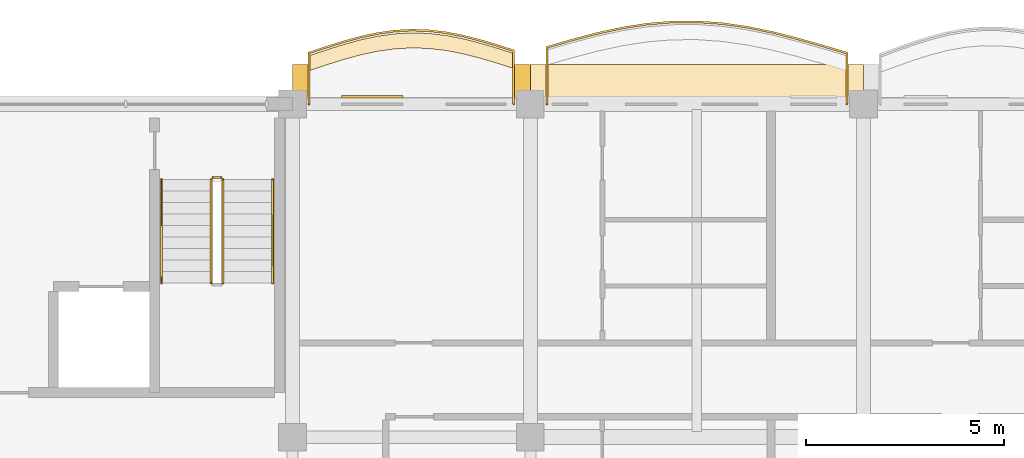
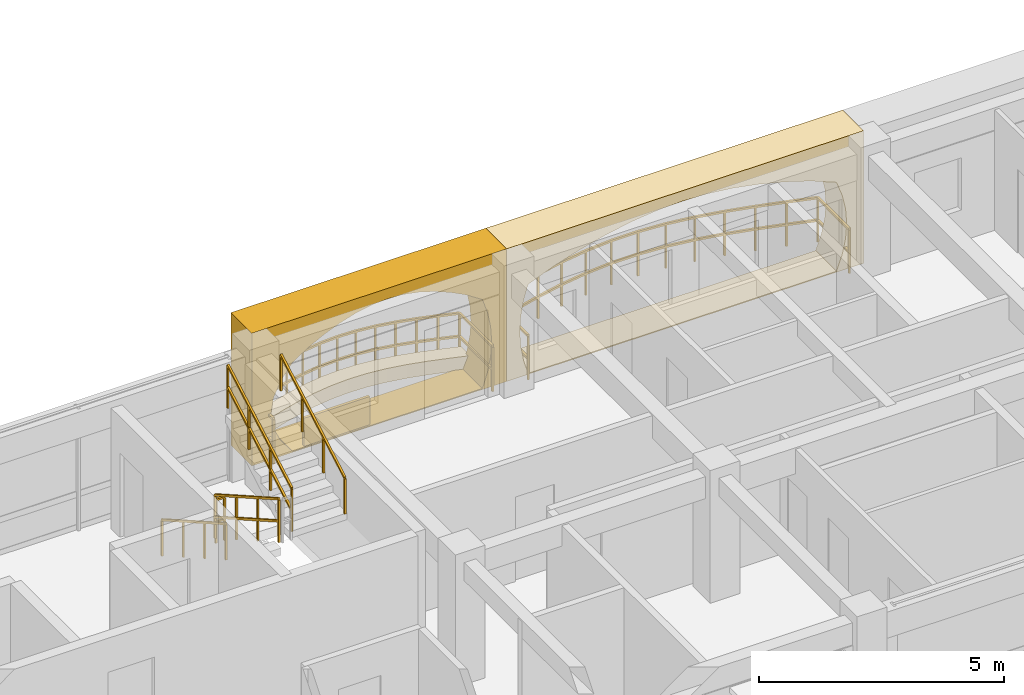
# One storey, part 58 of 76: 7 railings, 4 coverings.
"""IFC4 building model written with IfcOpenShell, lengths in metres."""

from ifc_helpers import new_model, si_unit, direction, frame, origin, origin_2d, place, context, subcontext, project, spatial, polyline, rectangle, outline, extrude, material, layer, layer_set, type_object, element, save


model = new_model("IFC4")

# Units and contexts
model_context = context("Model", 3, precision=1e-05, world=origin(), true_north=direction((0.0, 1.0)))
body_context = subcontext(model_context, "Body", "Model", "MODEL_VIEW")
ifc_project = project(units=[si_unit("LENGTHUNIT", "METRE"), si_unit("AREAUNIT", "SQUARE_METRE"), si_unit("VOLUMEUNIT", "CUBIC_METRE"), si_unit("PLANEANGLEUNIT", "RADIAN"), si_unit("MASSUNIT", "GRAM", prefix="KILO"), si_unit("THERMODYNAMICTEMPERATUREUNIT", "KELVIN")], contexts=[model_context])

# Site, building, storey
site_placement = place(None, origin())
site = spatial("IfcSite", under=ifc_project, at=site_placement, CompositionType="ELEMENT")
building_placement = place(site_placement, origin())
building = spatial("IfcBuilding", under=site, at=building_placement, Name="Thalorik Housing Commons", CompositionType="ELEMENT")
storey_placement = place(building_placement, frame((0.0, 0.0, 18.0)))
storey = spatial("IfcBuildingStorey", under=building, at=storey_placement, Name="L05", CompositionType="ELEMENT", Elevation=18.0)

# Coverings
ifc_material_1 = material(Name="Precast concrete C40/50", Category="concrete")
ifc_layer_1 = layer(ifc_material_1, 0.85009765625, Name="Precast concrete C40/50", Category="concrete")
ifc_layer_set_1 = layer_set([ifc_layer_1], Name="Precast concrete C40/50")
covering_type_1 = type_object("IfcCoveringType", Name="ARC-CLD-CUSH-850", PredefinedType="CLADDING", material=ifc_layer_set_1)
covering_1_placement = place(storey_placement, frame((33.0, 124.177490234375, 0.0), z_axis=(0.0, 0.0, 1.0), x_axis=(-1.0, 0.0, 0.0)))
element("IfcCovering", 1, at=covering_1_placement, inside=storey, type_object=covering_type_1, Name="L05 White Precast Curved Cushion Bay Frame 557", PredefinedType="CLADDING", context=body_context, shape_type="SweptSolid", body=[
    extrude(outline(polyline([(-4.199951171875, 0.0), (4.199951171875, 0.0), (4.199951171875, 3.300048828125), (-4.199951171875, 3.300048828125), (-4.199951171875, 0.0)]), holes=[polyline([(3.697265625, 0.02490234375), (3.80322265625, 0.394287109375), (3.866943359375, 0.76318359375), (3.88818359375, 1.132568359375), (3.866943359375, 1.501708984375), (3.80322265625, 1.870849609375), (3.697265625, 2.239990234375), (3.092041015625, 2.4833984375), (2.48681640625, 2.6748046875), (1.881591796875, 2.82958984375), (1.276611328125, 2.94482421875), (0.67138671875, 3.01611328125), (0.066162109375, 3.0400390625), (-0.5390625, 3.01611328125), (-1.144287109375, 2.94482421875), (-1.74951171875, 2.82958984375), (-2.3544921875, 2.6748046875), (-2.959716796875, 2.4833984375), (-3.56494140625, 2.239990234375), (-3.69921875, 1.870849609375), (-3.779541015625, 1.501708984375), (-3.806396484375, 1.132568359375), (-3.779541015625, 0.76318359375), (-3.69921875, 0.394287109375), (-3.56494140625, 0.02490234375), (3.697265625, 0.02490234375)])]), frame((0.0, 0.425048828125, 0.0), z_axis=(0.0, -1.0, 0.0), x_axis=(1.0, 0.0, 0.0)), (0.0, 0.0, 1.0), 0.85009765625),
])
covering_2_placement = place(storey_placement, frame((25.800048828125, 124.177490234375, 0.0), z_axis=(0.0, 0.0, 1.0), x_axis=(-1.0, 0.0, 0.0)))
element("IfcCovering", 2, at=covering_2_placement, inside=storey, type_object=covering_type_1, Name="L05 White Precast Curved Cushion Bay Frame 559", PredefinedType="CLADDING", context=body_context, shape_type="SweptSolid", body=[
    extrude(outline(polyline([(-3.0, 0.0), (3.0, 0.0), (3.0, 3.300048828125), (-3.0, 3.300048828125), (-3.0, 0.0)]), holes=[polyline([(2.0400390625, 0.02490234375), (2.3232421875, 0.394287109375), (2.493408203125, 0.76318359375), (2.550048828125, 1.132568359375), (2.493408203125, 1.501708984375), (2.3232421875, 1.870849609375), (2.0400390625, 2.239990234375), (1.66748046875, 2.4833984375), (1.294921875, 2.6748046875), (0.922607421875, 2.82958984375), (0.550048828125, 2.94482421875), (0.177490234375, 3.01611328125), (-0.195068359375, 3.0400390625), (-0.5673828125, 3.01611328125), (-0.93994140625, 2.94482421875), (-1.3125, 2.82958984375), (-1.68505859375, 2.6748046875), (-2.0576171875, 2.4833984375), (-2.429931640625, 2.239990234375), (-2.55029296875, 1.870849609375), (-2.62255859375, 1.501708984375), (-2.646484375, 1.132568359375), (-2.62255859375, 0.76318359375), (-2.55029296875, 0.394287109375), (-2.429931640625, 0.02490234375), (2.0400390625, 0.02490234375)])]), frame((0.0, 0.425048828125, 0.0), z_axis=(0.0, -1.0, 0.0), x_axis=(1.0, 0.0, 0.0)), (0.0, 0.0, 1.0), 0.85009765625),
])
ifc_material_2 = material(Name="Mineral ochre architectural terracotta panel", Category="masonry")
ifc_layer_2 = layer(ifc_material_2, 0.06494140625, Name="Mineral ochre architectural terracotta panel", Category="masonry")
ifc_layer_set_2 = layer_set([ifc_layer_2], Name="Mineral ochre architectural terracotta panel")
covering_type_2 = type_object("IfcCoveringType", Name="ARC-CLD-YEL-65", PredefinedType="CLADDING", material=ifc_layer_set_2)
covering_3_placement = place(storey_placement, frame((24.81005859375, 123.7900390625, 0.0498046875), z_axis=(0.0, 0.0, 1.0), x_axis=(-1.0, 0.0, 0.0)))
element("IfcCovering", 3, at=covering_3_placement, inside=storey, type_object=covering_type_2, Name="L05 De Stijl Recessed Window Spandrel 560", PredefinedType="CLADDING", context=body_context, shape_type="SweptSolid", body=[
    extrude(rectangle(XDim=1.550048828125, YDim=0.06494140625, at=origin_2d()), origin(), (0.0, 0.0, 1.0), 0.699951171875),
])
ifc_material_3 = material(Name="Planted vegetated substrate and terracotta trough", Category="masonry")
ifc_layer_3 = layer(ifc_material_3, 0.340087890625, Name="Planted vegetated substrate and terracotta trough", Category="masonry")
ifc_layer_set_3 = layer_set([ifc_layer_3], Name="Planted vegetated substrate and terracotta trough")
covering_type_3 = type_object("IfcCoveringType", Name="ARC-COV-PLANTER", PredefinedType="USERDEFINED", material=ifc_layer_set_3)
covering_4_placement = place(storey_placement, origin())
element("IfcCovering", 4, at=covering_4_placement, inside=storey, type_object=covering_type_3, Name="L05 Balcony Slab-Edge Planted Trough 5347", ObjectType="PLANTER", PredefinedType="USERDEFINED", context=body_context, shape_type="SweptSolid", body=[
    extrude(outline(polyline([(28.3798828125, 124.877197265625), (27.949951171875, 125.014404296875), (27.52001953125, 125.141845703125), (27.090087890625, 125.2509765625), (26.659912109375, 125.333251953125), (26.22998046875, 125.383056640625), (25.800048828125, 125.39599609375), (25.3701171875, 125.37158203125), (24.93994140625, 125.310791015625), (24.510009765625, 125.218017578125), (24.080078125, 125.099853515625), (23.64990234375, 124.964599609375), (23.219970703125, 124.82177734375), (23.219970703125, 124.441650390625), (23.64990234375, 124.584716796875), (24.080078125, 124.719970703125), (24.510009765625, 124.838134765625), (24.93994140625, 124.930908203125), (25.3701171875, 124.991455078125), (25.800048828125, 125.01611328125), (26.22998046875, 125.0029296875), (26.659912109375, 124.953369140625), (27.090087890625, 124.87109375), (27.52001953125, 124.761962890625), (27.949951171875, 124.63427734375), (28.3798828125, 124.497314453125), (28.3798828125, 124.877197265625)])), origin(), (0.0, 0.0, 1.0), 0.340087890625),
])

# Railings
ifc_material_4 = material(Name="Steel S355", Category="steel")
railing_type_1 = type_object("IfcRailingType", Name="ARC-RL-BAL-112", PredefinedType="BALUSTRADE", material=ifc_material_4)
railing_1_placement = place(storey_placement, frame((36.780029296875, 123.60009765625, 0.0)))
element("IfcRailing", 5, at=railing_1_placement, inside=storey, type_object=railing_type_1, Name="L05 Cushion Balcony Guardrail 32", PredefinedType="BALUSTRADE", context=body_context, shape_type="SweptSolid", body=[
    extrude(rectangle(XDim=0.050048828125, YDim=0.050048828125, at=origin_2d()), frame((0.0, 0.0, 1.09521484375), z_axis=(0.0, 1.0, 0.0), x_axis=(-1.0, 0.0, 0.0)), (0.0, 0.0, 1.0), 1.289306640625),
    extrude(rectangle(XDim=0.050048828125, YDim=0.050048828125, at=origin_2d()), frame((0.0, 0.0, 0.53515625), z_axis=(0.0, 1.0, 0.0), x_axis=(-1.0, 0.0, 0.0)), (0.0, 0.0, 1.0), 1.289306640625),
    extrude(rectangle(XDim=0.050048828125, YDim=0.050048828125, at=origin_2d()), frame((0.0, 1.289306640625, 1.09521484375), z_axis=(-0.959377338549, 0.282126075149, 0.0), x_axis=(-0.282126075149, -0.959377338549, 0.0)), (0.0, 0.0, 1.0), 0.65673828125),
    extrude(rectangle(XDim=0.050048828125, YDim=0.050048828125, at=origin_2d()), frame((0.0, 1.289306640625, 0.53515625), z_axis=(-0.959377338549, 0.282126075149, 0.0), x_axis=(-0.282126075149, -0.959377338549, 0.0)), (0.0, 0.0, 1.0), 0.65673828125),
    extrude(rectangle(XDim=0.050048828125, YDim=0.050048828125, at=origin_2d()), frame((-0.630126953125, 1.474609375, 1.09521484375), z_axis=(-0.962028866252, 0.272947724844, 0.0), x_axis=(-0.272947724844, -0.962028866252, 0.0)), (0.0, 0.0, 1.0), 0.65478515625),
    extrude(rectangle(XDim=0.050048828125, YDim=0.050048828125, at=origin_2d()), frame((-0.630126953125, 1.474609375, 0.53515625), z_axis=(-0.962028866252, 0.272947724844, 0.0), x_axis=(-0.272947724844, -0.962028866252, 0.0)), (0.0, 0.0, 1.0), 0.65478515625),
    extrude(rectangle(XDim=0.050048828125, YDim=0.050048828125, at=origin_2d()), frame((-1.260009765625, 1.6533203125, 1.09521484375), z_axis=(-0.969542950291, 0.244921349705, 0.0), x_axis=(-0.244921349705, -0.969542950291, 0.0)), (0.0, 0.0, 1.0), 0.64990234375),
    extrude(rectangle(XDim=0.050048828125, YDim=0.050048828125, at=origin_2d()), frame((-1.260009765625, 1.6533203125, 0.53515625), z_axis=(-0.969542950291, 0.244921349705, 0.0), x_axis=(-0.244921349705, -0.969542950291, 0.0)), (0.0, 0.0, 1.0), 0.64990234375),
    extrude(rectangle(XDim=0.050048828125, YDim=0.050048828125, at=origin_2d()), frame((-1.89013671875, 1.8125, 1.09521484375), z_axis=(-0.979619945128, 0.200860058517, 0.0), x_axis=(-0.200860058517, -0.979619945128, 0.0)), (0.0, 0.0, 1.0), 0.64306640625),
    extrude(rectangle(XDim=0.050048828125, YDim=0.050048828125, at=origin_2d()), frame((-1.89013671875, 1.8125, 0.53515625), z_axis=(-0.979619945128, 0.200860058517, 0.0), x_axis=(-0.200860058517, -0.979619945128, 0.0)), (0.0, 0.0, 1.0), 0.64306640625),
    extrude(rectangle(XDim=0.050048828125, YDim=0.050048828125, at=origin_2d()), frame((-2.52001953125, 1.941650390625, 1.09521484375), z_axis=(-0.990041345096, 0.140776897966, 0.0), x_axis=(-0.140776897966, -0.990041345096, 0.0)), (0.0, 0.0, 1.0), 0.636474609375),
    extrude(rectangle(XDim=0.050048828125, YDim=0.050048828125, at=origin_2d()), frame((-2.52001953125, 1.941650390625, 0.53515625), z_axis=(-0.990041345096, 0.140776897966, 0.0), x_axis=(-0.140776897966, -0.990041345096, 0.0)), (0.0, 0.0, 1.0), 0.636474609375),
    extrude(rectangle(XDim=0.050048828125, YDim=0.050048828125, at=origin_2d()), frame((-3.150146484375, 2.03125, 1.09521484375), z_axis=(-0.997575100836, 0.069598262849, 0.0), x_axis=(-0.069598262849, -0.997575100836, 0.0)), (0.0, 0.0, 1.0), 0.63134765625),
    extrude(rectangle(XDim=0.050048828125, YDim=0.050048828125, at=origin_2d()), frame((-3.150146484375, 2.03125, 0.53515625), z_axis=(-0.997575100836, 0.069598262849, 0.0), x_axis=(-0.069598262849, -0.997575100836, 0.0)), (0.0, 0.0, 1.0), 0.63134765625),
    extrude(rectangle(XDim=0.050048828125, YDim=0.050048828125, at=origin_2d()), frame((-3.780029296875, 2.0751953125, 1.09521484375), z_axis=(-0.999972884343, -0.007364141396, 0.0), x_axis=(0.007364141396, -0.999972884343, 0.0)), (0.0, 0.0, 1.0), 0.6298828125),
    extrude(rectangle(XDim=0.050048828125, YDim=0.050048828125, at=origin_2d()), frame((-3.780029296875, 2.0751953125, 0.53515625), z_axis=(-0.999972884343, -0.007364141396, 0.0), x_axis=(0.007364141396, -0.999972884343, 0.0)), (0.0, 0.0, 1.0), 0.6298828125),
    extrude(rectangle(XDim=0.050048828125, YDim=0.050048828125, at=origin_2d()), frame((-4.409912109375, 2.070556640625, 1.09521484375), z_axis=(-0.996451941002, -0.084163705207, 0.0), x_axis=(0.084163705207, -0.996451941002, 0.0)), (0.0, 0.0, 1.0), 0.63232421875),
    extrude(rectangle(XDim=0.050048828125, YDim=0.050048828125, at=origin_2d()), frame((-4.409912109375, 2.070556640625, 0.53515625), z_axis=(-0.996451941002, -0.084163705207, 0.0), x_axis=(0.084163705207, -0.996451941002, 0.0)), (0.0, 0.0, 1.0), 0.63232421875),
    extrude(rectangle(XDim=0.050048828125, YDim=0.050048828125, at=origin_2d()), frame((-5.0400390625, 2.017333984375, 1.09521484375), z_axis=(-0.988019333947, -0.154330151775, 0.0), x_axis=(0.154330151775, -0.988019333947, 0.0)), (0.0, 0.0, 1.0), 0.637451171875),
    extrude(rectangle(XDim=0.050048828125, YDim=0.050048828125, at=origin_2d()), frame((-5.0400390625, 2.017333984375, 0.53515625), z_axis=(-0.988019333947, -0.154330151775, 0.0), x_axis=(0.154330151775, -0.988019333947, 0.0)), (0.0, 0.0, 1.0), 0.637451171875),
    extrude(rectangle(XDim=0.050048828125, YDim=0.050048828125, at=origin_2d()), frame((-5.669921875, 1.9189453125, 1.09521484375), z_axis=(-0.977261717402, -0.212036637638, 0.0), x_axis=(0.212036637638, -0.977261717402, 0.0)), (0.0, 0.0, 1.0), 0.644775390625),
    extrude(rectangle(XDim=0.050048828125, YDim=0.050048828125, at=origin_2d()), frame((-5.669921875, 1.9189453125, 0.53515625), z_axis=(-0.977261717402, -0.212036637638, 0.0), x_axis=(0.212036637638, -0.977261717402, 0.0)), (0.0, 0.0, 1.0), 0.644775390625),
    extrude(rectangle(XDim=0.050048828125, YDim=0.050048828125, at=origin_2d()), frame((-6.300048828125, 1.7822265625, 1.09521484375), z_axis=(-0.967161884904, -0.254161146498, 0.0), x_axis=(0.254161146498, -0.967161884904, 0.0)), (0.0, 0.0, 1.0), 0.6513671875),
    extrude(rectangle(XDim=0.050048828125, YDim=0.050048828125, at=origin_2d()), frame((-6.300048828125, 1.7822265625, 0.53515625), z_axis=(-0.967161884904, -0.254161146498, 0.0), x_axis=(0.254161146498, -0.967161884904, 0.0)), (0.0, 0.0, 1.0), 0.6513671875),
    extrude(rectangle(XDim=0.050048828125, YDim=0.050048828125, at=origin_2d()), frame((-6.929931640625, 1.61669921875, 1.09521484375), z_axis=(-0.960278714224, -0.279042632959, 0.0), x_axis=(0.279042632959, -0.960278714224, 0.0)), (0.0, 0.0, 1.0), 0.65625),
    extrude(rectangle(XDim=0.050048828125, YDim=0.050048828125, at=origin_2d()), frame((-6.929931640625, 1.61669921875, 0.53515625), z_axis=(-0.960278714224, -0.279042632959, 0.0), x_axis=(0.279042632959, -0.960278714224, 0.0)), (0.0, 0.0, 1.0), 0.65625),
    extrude(rectangle(XDim=0.050048828125, YDim=0.050048828125, at=origin_2d()), frame((-7.56005859375, 1.43359375, 1.09521484375), z_axis=(0.0, -1.0, 0.0), x_axis=(1.0, 0.0, 0.0)), (0.0, 0.0, 1.0), 1.43359375),
    extrude(rectangle(XDim=0.050048828125, YDim=0.050048828125, at=origin_2d()), frame((-7.56005859375, 1.43359375, 0.53515625), z_axis=(0.0, -1.0, 0.0), x_axis=(1.0, 0.0, 0.0)), (0.0, 0.0, 1.0), 1.43359375),
    extrude(rectangle(XDim=0.0419921875, YDim=0.0419921875, at=origin_2d()), origin(), (0.0, 0.0, 1.0), 1.070068359375),
    extrude(rectangle(XDim=0.0419921875, YDim=0.0419921875, at=origin_2d()), frame((0.0, 1.289306640625, 0.0)), (0.0, 0.0, 1.0), 1.070068359375),
    extrude(rectangle(XDim=0.0419921875, YDim=0.0419921875, at=origin_2d()), frame((-0.630126953125, 1.474609375, 0.0)), (0.0, 0.0, 1.0), 1.070068359375),
    extrude(rectangle(XDim=0.0419921875, YDim=0.0419921875, at=origin_2d()), frame((-1.260009765625, 1.6533203125, 0.0)), (0.0, 0.0, 1.0), 1.070068359375),
    extrude(rectangle(XDim=0.0419921875, YDim=0.0419921875, at=origin_2d()), frame((-1.89013671875, 1.8125, 0.0)), (0.0, 0.0, 1.0), 1.070068359375),
    extrude(rectangle(XDim=0.0419921875, YDim=0.0419921875, at=origin_2d()), frame((-2.52001953125, 1.941650390625, 0.0)), (0.0, 0.0, 1.0), 1.070068359375),
    extrude(rectangle(XDim=0.0419921875, YDim=0.0419921875, at=origin_2d()), frame((-3.150146484375, 2.03125, 0.0)), (0.0, 0.0, 1.0), 1.070068359375),
    extrude(rectangle(XDim=0.0419921875, YDim=0.0419921875, at=origin_2d()), frame((-3.780029296875, 2.0751953125, 0.0)), (0.0, 0.0, 1.0), 1.070068359375),
    extrude(rectangle(XDim=0.0419921875, YDim=0.0419921875, at=origin_2d()), frame((-4.409912109375, 2.070556640625, 0.0)), (0.0, 0.0, 1.0), 1.070068359375),
    extrude(rectangle(XDim=0.0419921875, YDim=0.0419921875, at=origin_2d()), frame((-5.0400390625, 2.017333984375, 0.0)), (0.0, 0.0, 1.0), 1.070068359375),
    extrude(rectangle(XDim=0.0419921875, YDim=0.0419921875, at=origin_2d()), frame((-5.669921875, 1.9189453125, 0.0)), (0.0, 0.0, 1.0), 1.070068359375),
    extrude(rectangle(XDim=0.0419921875, YDim=0.0419921875, at=origin_2d()), frame((-6.300048828125, 1.7822265625, 0.0)), (0.0, 0.0, 1.0), 1.070068359375),
    extrude(rectangle(XDim=0.0419921875, YDim=0.0419921875, at=origin_2d()), frame((-6.929931640625, 1.61669921875, 0.0)), (0.0, 0.0, 1.0), 1.070068359375),
    extrude(rectangle(XDim=0.0419921875, YDim=0.0419921875, at=origin_2d()), frame((-7.56005859375, 1.43359375, 0.0)), (0.0, 0.0, 1.0), 1.070068359375),
    extrude(rectangle(XDim=0.0419921875, YDim=0.0419921875, at=origin_2d()), frame((-7.56005859375, 0.0, 0.0)), (0.0, 0.0, 1.0), 1.070068359375),
])
railing_type_2 = type_object("IfcRailingType", Name="ARC-RL-BAL-115", PredefinedType="BALUSTRADE", material=ifc_material_4)
railing_2_placement = place(storey_placement, frame((28.3798828125, 123.60009765625, 0.0)))
element("IfcRailing", 6, at=railing_2_placement, inside=storey, type_object=railing_type_2, Name="L05 Cushion Balcony Guardrail 31", PredefinedType="BALUSTRADE", context=body_context, shape_type="SweptSolid", body=[
    extrude(rectangle(XDim=0.050048828125, YDim=0.050048828125, at=origin_2d()), frame((0.0, 0.0, 1.125), z_axis=(0.0, 1.0, 0.0), x_axis=(-1.0, 0.0, 0.0)), (0.0, 0.0, 1.0), 1.34716796875),
    extrude(rectangle(XDim=0.050048828125, YDim=0.050048828125, at=origin_2d()), frame((0.0, 0.0, 0.5498046875), z_axis=(0.0, 1.0, 0.0), x_axis=(-1.0, 0.0, 0.0)), (0.0, 0.0, 1.0), 1.34716796875),
    extrude(rectangle(XDim=0.050048828125, YDim=0.050048828125, at=origin_2d()), frame((0.0, 1.34716796875, 1.125), z_axis=(-0.952819131931, 0.30353863317, 0.0), x_axis=(-0.30353863317, -0.952819131931, 0.0)), (0.0, 0.0, 1.0), 0.451171875),
    extrude(rectangle(XDim=0.050048828125, YDim=0.050048828125, at=origin_2d()), frame((0.0, 1.34716796875, 0.5498046875), z_axis=(-0.952819131931, 0.30353863317, 0.0), x_axis=(-0.30353863317, -0.952819131931, 0.0)), (0.0, 0.0, 1.0), 0.451171875),
    extrude(rectangle(XDim=0.050048828125, YDim=0.050048828125, at=origin_2d()), frame((-0.429931640625, 1.484130859375, 1.125), z_axis=(-0.958616693349, 0.284699903817, 0.0), x_axis=(-0.284699903817, -0.958616693349, 0.0)), (0.0, 0.0, 1.0), 0.448486328125),
    extrude(rectangle(XDim=0.050048828125, YDim=0.050048828125, at=origin_2d()), frame((-0.429931640625, 1.484130859375, 0.5498046875), z_axis=(-0.958616693349, 0.284699903817, 0.0), x_axis=(-0.284699903817, -0.958616693349, 0.0)), (0.0, 0.0, 1.0), 0.448486328125),
    extrude(rectangle(XDim=0.050048828125, YDim=0.050048828125, at=origin_2d()), frame((-0.85986328125, 1.61181640625, 1.125), z_axis=(-0.969262026984, 0.246030735981, 0.0), x_axis=(-0.246030735981, -0.969262026984, 0.0)), (0.0, 0.0, 1.0), 0.443603515625),
    extrude(rectangle(XDim=0.050048828125, YDim=0.050048828125, at=origin_2d()), frame((-0.85986328125, 1.61181640625, 0.5498046875), z_axis=(-0.969262026984, 0.246030735981, 0.0), x_axis=(-0.246030735981, -0.969262026984, 0.0)), (0.0, 0.0, 1.0), 0.443603515625),
    extrude(rectangle(XDim=0.050048828125, YDim=0.050048828125, at=origin_2d()), frame((-1.289794921875, 1.720947265625, 1.125), z_axis=(-0.98219679274, 0.187854891688, 0.0), x_axis=(-0.187854891688, -0.98219679274, 0.0)), (0.0, 0.0, 1.0), 0.43798828125),
    extrude(rectangle(XDim=0.050048828125, YDim=0.050048828125, at=origin_2d()), frame((-1.289794921875, 1.720947265625, 0.5498046875), z_axis=(-0.98219679274, 0.187854891688, 0.0), x_axis=(-0.187854891688, -0.98219679274, 0.0)), (0.0, 0.0, 1.0), 0.43798828125),
    extrude(rectangle(XDim=0.050048828125, YDim=0.050048828125, at=origin_2d()), frame((-1.719970703125, 1.80322265625, 1.125), z_axis=(-0.993421283169, 0.114517047407, 0.0), x_axis=(-0.114517047407, -0.993421283169, 0.0)), (0.0, 0.0, 1.0), 0.432861328125),
    extrude(rectangle(XDim=0.050048828125, YDim=0.050048828125, at=origin_2d()), frame((-1.719970703125, 1.80322265625, 0.5498046875), z_axis=(-0.993421283169, 0.114517047407, 0.0), x_axis=(-0.114517047407, -0.993421283169, 0.0)), (0.0, 0.0, 1.0), 0.432861328125),
    extrude(rectangle(XDim=0.050048828125, YDim=0.050048828125, at=origin_2d()), frame((-2.14990234375, 1.852783203125, 1.125), z_axis=(-0.999530178738, 0.030649988445, 0.0), x_axis=(-0.030649988445, -0.999530178738, 0.0)), (0.0, 0.0, 1.0), 0.43017578125),
    extrude(rectangle(XDim=0.050048828125, YDim=0.050048828125, at=origin_2d()), frame((-2.14990234375, 1.852783203125, 0.5498046875), z_axis=(-0.999530178738, 0.030649988445, 0.0), x_axis=(-0.030649988445, -0.999530178738, 0.0)), (0.0, 0.0, 1.0), 0.43017578125),
    extrude(rectangle(XDim=0.050048828125, YDim=0.050048828125, at=origin_2d()), frame((-2.579833984375, 1.865966796875, 1.125), z_axis=(-0.998359318778, -0.057259677, 0.0), x_axis=(0.057259677, -0.998359318778, 0.0)), (0.0, 0.0, 1.0), 0.4306640625),
    extrude(rectangle(XDim=0.050048828125, YDim=0.050048828125, at=origin_2d()), frame((-2.579833984375, 1.865966796875, 0.5498046875), z_axis=(-0.998359318778, -0.057259677, 0.0), x_axis=(0.057259677, -0.998359318778, 0.0)), (0.0, 0.0, 1.0), 0.4306640625),
    extrude(rectangle(XDim=0.050048828125, YDim=0.050048828125, at=origin_2d()), frame((-3.009765625, 1.84130859375, 1.125), z_axis=(-0.990239618738, -0.139375383341, 0.0), x_axis=(0.139375383341, -0.990239618738, 0.0)), (0.0, 0.0, 1.0), 0.434326171875),
    extrude(rectangle(XDim=0.050048828125, YDim=0.050048828125, at=origin_2d()), frame((-3.009765625, 1.84130859375, 0.5498046875), z_axis=(-0.990239618738, -0.139375383341, 0.0), x_axis=(0.139375383341, -0.990239618738, 0.0)), (0.0, 0.0, 1.0), 0.434326171875),
    extrude(rectangle(XDim=0.050048828125, YDim=0.050048828125, at=origin_2d()), frame((-3.43994140625, 1.78076171875, 1.125), z_axis=(-0.977500851063, -0.210931472688, 0.0), x_axis=(0.210931472688, -0.977500851063, 0.0)), (0.0, 0.0, 1.0), 0.43994140625),
    extrude(rectangle(XDim=0.050048828125, YDim=0.050048828125, at=origin_2d()), frame((-3.43994140625, 1.78076171875, 0.5498046875), z_axis=(-0.977500851063, -0.210931472688, 0.0), x_axis=(0.210931472688, -0.977500851063, 0.0)), (0.0, 0.0, 1.0), 0.43994140625),
    extrude(rectangle(XDim=0.050048828125, YDim=0.050048828125, at=origin_2d()), frame((-3.869873046875, 1.68798828125, 1.125), z_axis=(-0.964243880098, -0.265016489476, 0.0), x_axis=(0.265016489476, -0.964243880098, 0.0)), (0.0, 0.0, 1.0), 0.44580078125),
    extrude(rectangle(XDim=0.050048828125, YDim=0.050048828125, at=origin_2d()), frame((-3.869873046875, 1.68798828125, 0.5498046875), z_axis=(-0.964243880098, -0.265016489476, 0.0), x_axis=(0.265016489476, -0.964243880098, 0.0)), (0.0, 0.0, 1.0), 0.44580078125),
    extrude(rectangle(XDim=0.050048828125, YDim=0.050048828125, at=origin_2d()), frame((-4.2998046875, 1.56982421875, 1.125), z_axis=(-0.953958313689, -0.299939220082, 0.0), x_axis=(0.299939220082, -0.953958313689, 0.0)), (0.0, 0.0, 1.0), 0.450927734375),
    extrude(rectangle(XDim=0.050048828125, YDim=0.050048828125, at=origin_2d()), frame((-4.2998046875, 1.56982421875, 0.5498046875), z_axis=(-0.953958313689, -0.299939220082, 0.0), x_axis=(0.299939220082, -0.953958313689, 0.0)), (0.0, 0.0, 1.0), 0.450927734375),
    extrude(rectangle(XDim=0.050048828125, YDim=0.050048828125, at=origin_2d()), frame((-4.72998046875, 1.4345703125, 1.125), z_axis=(-0.948844817182, -0.315742795496, 0.0), x_axis=(0.315742795496, -0.948844817182, 0.0)), (0.0, 0.0, 1.0), 0.453125),
    extrude(rectangle(XDim=0.050048828125, YDim=0.050048828125, at=origin_2d()), frame((-4.72998046875, 1.4345703125, 0.5498046875), z_axis=(-0.948844817182, -0.315742795496, 0.0), x_axis=(0.315742795496, -0.948844817182, 0.0)), (0.0, 0.0, 1.0), 0.453125),
    extrude(rectangle(XDim=0.050048828125, YDim=0.050048828125, at=origin_2d()), frame((-5.159912109375, 1.29150390625, 1.125), z_axis=(0.0, -1.0, 0.0), x_axis=(1.0, 0.0, 0.0)), (0.0, 0.0, 1.0), 1.29150390625),
    extrude(rectangle(XDim=0.050048828125, YDim=0.050048828125, at=origin_2d()), frame((-5.159912109375, 1.29150390625, 0.5498046875), z_axis=(0.0, -1.0, 0.0), x_axis=(1.0, 0.0, 0.0)), (0.0, 0.0, 1.0), 1.29150390625),
    extrude(rectangle(XDim=0.0419921875, YDim=0.0419921875, at=origin_2d()), origin(), (0.0, 0.0, 1.0), 1.099853515625),
    extrude(rectangle(XDim=0.0419921875, YDim=0.0419921875, at=origin_2d()), frame((0.0, 1.34716796875, 0.0)), (0.0, 0.0, 1.0), 1.099853515625),
    extrude(rectangle(XDim=0.0419921875, YDim=0.0419921875, at=origin_2d()), frame((-0.429931640625, 1.484130859375, 0.0)), (0.0, 0.0, 1.0), 1.099853515625),
    extrude(rectangle(XDim=0.0419921875, YDim=0.0419921875, at=origin_2d()), frame((-0.85986328125, 1.61181640625, 0.0)), (0.0, 0.0, 1.0), 1.099853515625),
    extrude(rectangle(XDim=0.0419921875, YDim=0.0419921875, at=origin_2d()), frame((-1.289794921875, 1.720947265625, 0.0)), (0.0, 0.0, 1.0), 1.099853515625),
    extrude(rectangle(XDim=0.0419921875, YDim=0.0419921875, at=origin_2d()), frame((-1.719970703125, 1.80322265625, 0.0)), (0.0, 0.0, 1.0), 1.099853515625),
    extrude(rectangle(XDim=0.0419921875, YDim=0.0419921875, at=origin_2d()), frame((-2.14990234375, 1.852783203125, 0.0)), (0.0, 0.0, 1.0), 1.099853515625),
    extrude(rectangle(XDim=0.0419921875, YDim=0.0419921875, at=origin_2d()), frame((-2.579833984375, 1.865966796875, 0.0)), (0.0, 0.0, 1.0), 1.099853515625),
    extrude(rectangle(XDim=0.0419921875, YDim=0.0419921875, at=origin_2d()), frame((-3.009765625, 1.84130859375, 0.0)), (0.0, 0.0, 1.0), 1.099853515625),
    extrude(rectangle(XDim=0.0419921875, YDim=0.0419921875, at=origin_2d()), frame((-3.43994140625, 1.78076171875, 0.0)), (0.0, 0.0, 1.0), 1.099853515625),
    extrude(rectangle(XDim=0.0419921875, YDim=0.0419921875, at=origin_2d()), frame((-3.869873046875, 1.68798828125, 0.0)), (0.0, 0.0, 1.0), 1.099853515625),
    extrude(rectangle(XDim=0.0419921875, YDim=0.0419921875, at=origin_2d()), frame((-4.2998046875, 1.56982421875, 0.0)), (0.0, 0.0, 1.0), 1.099853515625),
    extrude(rectangle(XDim=0.0419921875, YDim=0.0419921875, at=origin_2d()), frame((-4.72998046875, 1.4345703125, 0.0)), (0.0, 0.0, 1.0), 1.099853515625),
    extrude(rectangle(XDim=0.0419921875, YDim=0.0419921875, at=origin_2d()), frame((-5.159912109375, 1.29150390625, 0.0)), (0.0, 0.0, 1.0), 1.099853515625),
    extrude(rectangle(XDim=0.0419921875, YDim=0.0419921875, at=origin_2d()), frame((-5.159912109375, 0.0, 0.0)), (0.0, 0.0, 1.0), 1.099853515625),
])
railing_type_3 = type_object("IfcRailingType", Name="ARC-RL-STR-GRD110", PredefinedType="GUARDRAIL", material=ifc_material_4)
railing_3_placement = place(storey_placement, frame((20.75, 121.699951171875, 0.1650390625)))
element("IfcRailing", 7, at=railing_3_placement, inside=storey, type_object=railing_type_3, Name="L05 ST-A2 stair guard 1", PredefinedType="GUARDRAIL", context=body_context, shape_type="SweptSolid", body=[
    extrude(rectangle(XDim=0.048095703125, YDim=0.048095703125, at=origin_2d()), frame((0.0, 0.0, 1.076171875), z_axis=(0.0, -0.869172267526, 0.494509422927), x_axis=(1.0, 0.0, 0.0)), (0.0, 0.0, 1.0), 3.002685546875),
    extrude(rectangle(XDim=0.048095703125, YDim=0.048095703125, at=origin_2d()), frame((0.0, 0.0, 0.52587890625), z_axis=(0.0, -0.869172267526, 0.494509422927), x_axis=(1.0, 0.0, 0.0)), (0.0, 0.0, 1.0), 3.002685546875),
    extrude(rectangle(XDim=0.0419921875, YDim=0.0419921875, at=origin_2d()), origin(), (0.0, 0.0, 1.0), 1.052001953125),
    extrude(rectangle(XDim=0.0419921875, YDim=0.0419921875, at=origin_2d()), frame((0.0, -0.869873046875, 0.494873046875)), (0.0, 0.0, 1.0), 1.052001953125),
    extrude(rectangle(XDim=0.0419921875, YDim=0.0419921875, at=origin_2d()), frame((0.0, -1.739990234375, 0.989990234375)), (0.0, 0.0, 1.0), 1.052001953125),
    extrude(rectangle(XDim=0.0419921875, YDim=0.0419921875, at=origin_2d()), frame((0.0, -2.60986328125, 1.48486328125)), (0.0, 0.0, 1.0), 1.052001953125),
])
railing_4_placement = place(storey_placement, frame((21.050048828125, 119.090087890625, 1.81494140625)))
element("IfcRailing", 8, at=railing_4_placement, inside=storey, type_object=railing_type_3, Name="L05 ST-A2 stair guard 3", PredefinedType="GUARDRAIL", context=body_context, shape_type="SweptSolid", body=[
    extrude(rectangle(XDim=0.048095703125, YDim=0.048095703125, at=origin_2d()), frame((0.0, 0.0, 1.076171875), z_axis=(0.0, 0.869137319866, 0.494570843475), x_axis=(-1.0, 0.0, 0.0)), (0.0, 0.0, 1.0), 3.0029296875),
    extrude(rectangle(XDim=0.048095703125, YDim=0.048095703125, at=origin_2d()), frame((0.0, 0.0, 0.52587890625), z_axis=(0.0, 0.869137319866, 0.494570843475), x_axis=(-1.0, 0.0, 0.0)), (0.0, 0.0, 1.0), 3.0029296875),
    extrude(rectangle(XDim=0.0419921875, YDim=0.0419921875, at=origin_2d()), origin(), (0.0, 0.0, 1.0), 1.052001953125),
    extrude(rectangle(XDim=0.0419921875, YDim=0.0419921875, at=origin_2d()), frame((0.0, 0.869873046875, 0.4951171875)), (0.0, 0.0, 1.0), 1.052001953125),
    extrude(rectangle(XDim=0.0419921875, YDim=0.0419921875, at=origin_2d()), frame((0.0, 1.739990234375, 0.989990234375)), (0.0, 0.0, 1.0), 1.052001953125),
    extrude(rectangle(XDim=0.0419921875, YDim=0.0419921875, at=origin_2d()), frame((0.0, 2.60986328125, 1.485107421875)), (0.0, 0.0, 1.0), 1.052001953125),
])
railing_5_placement = place(storey_placement, frame((20.800048828125, 121.75, 0.0)))
element("IfcRailing", 9, at=railing_5_placement, inside=storey, type_object=railing_type_3, Name="L05 ST-A2 stair guard 4", PredefinedType="GUARDRAIL", context=body_context, shape_type="SweptSolid", body=[
    extrude(rectangle(XDim=0.048095703125, YDim=0.048095703125, at=origin_2d()), frame((0.0, 0.0, 1.076171875), z_axis=(1.0, 0.0, 0.0), x_axis=(0.0, 1.0, 0.0)), (0.0, 0.0, 1.0), 0.199951171875),
    extrude(rectangle(XDim=0.048095703125, YDim=0.048095703125, at=origin_2d()), frame((0.0, 0.0, 0.52587890625), z_axis=(1.0, 0.0, 0.0), x_axis=(0.0, 1.0, 0.0)), (0.0, 0.0, 1.0), 0.199951171875),
    extrude(rectangle(XDim=0.0419921875, YDim=0.0419921875, at=origin_2d()), origin(), (0.0, 0.0, 1.0), 1.052001953125),
    extrude(rectangle(XDim=0.0419921875, YDim=0.0419921875, at=origin_2d()), frame((0.199951171875, 0.0, 0.0)), (0.0, 0.0, 1.0), 1.052001953125),
])
railing_type_4 = type_object("IfcRailingType", Name="ARC-RL-STR-HR092", PredefinedType="HANDRAIL", material=ifc_material_4)
railing_6_placement = place(storey_placement, frame((19.5, 121.699951171875, 0.1650390625)))
element("IfcRailing", 10, at=railing_6_placement, inside=storey, type_object=railing_type_4, Name="L05 ST-A2 stair handrail 1", PredefinedType="HANDRAIL", context=body_context, shape_type="SweptSolid", body=[
    extrude(rectangle(XDim=0.048095703125, YDim=0.048095703125, at=origin_2d()), frame((0.0, 0.0, 0.89599609375), z_axis=(0.0, -0.869172267526, 0.494509422927), x_axis=(1.0, 0.0, 0.0)), (0.0, 0.0, 1.0), 3.002685546875),
    extrude(rectangle(XDim=0.0419921875, YDim=0.0419921875, at=origin_2d()), origin(), (0.0, 0.0, 1.0), 0.871826171875),
    extrude(rectangle(XDim=0.0419921875, YDim=0.0419921875, at=origin_2d()), frame((0.0, -0.869873046875, 0.494873046875)), (0.0, 0.0, 1.0), 0.871826171875),
    extrude(rectangle(XDim=0.0419921875, YDim=0.0419921875, at=origin_2d()), frame((0.0, -1.739990234375, 0.989990234375)), (0.0, 0.0, 1.0), 0.871826171875),
    extrude(rectangle(XDim=0.0419921875, YDim=0.0419921875, at=origin_2d()), frame((0.0, -2.60986328125, 1.48486328125)), (0.0, 0.0, 1.0), 0.871826171875),
])
railing_7_placement = place(storey_placement, frame((22.300048828125, 119.090087890625, 1.81494140625)))
element("IfcRailing", 11, at=railing_7_placement, inside=storey, type_object=railing_type_4, Name="L05 ST-A2 stair handrail 2", PredefinedType="HANDRAIL", context=body_context, shape_type="SweptSolid", body=[
    extrude(rectangle(XDim=0.048095703125, YDim=0.048095703125, at=origin_2d()), frame((0.0, 0.0, 0.89599609375), z_axis=(0.0, 0.869137319866, 0.494570843475), x_axis=(-1.0, 0.0, 0.0)), (0.0, 0.0, 1.0), 3.0029296875),
    extrude(rectangle(XDim=0.0419921875, YDim=0.0419921875, at=origin_2d()), origin(), (0.0, 0.0, 1.0), 0.871826171875),
    extrude(rectangle(XDim=0.0419921875, YDim=0.0419921875, at=origin_2d()), frame((0.0, 0.869873046875, 0.4951171875)), (0.0, 0.0, 1.0), 0.871826171875),
    extrude(rectangle(XDim=0.0419921875, YDim=0.0419921875, at=origin_2d()), frame((0.0, 1.739990234375, 0.989990234375)), (0.0, 0.0, 1.0), 0.871826171875),
    extrude(rectangle(XDim=0.0419921875, YDim=0.0419921875, at=origin_2d()), frame((0.0, 2.60986328125, 1.485107421875)), (0.0, 0.0, 1.0), 0.871826171875),
])

save(model, "model.ifc")
